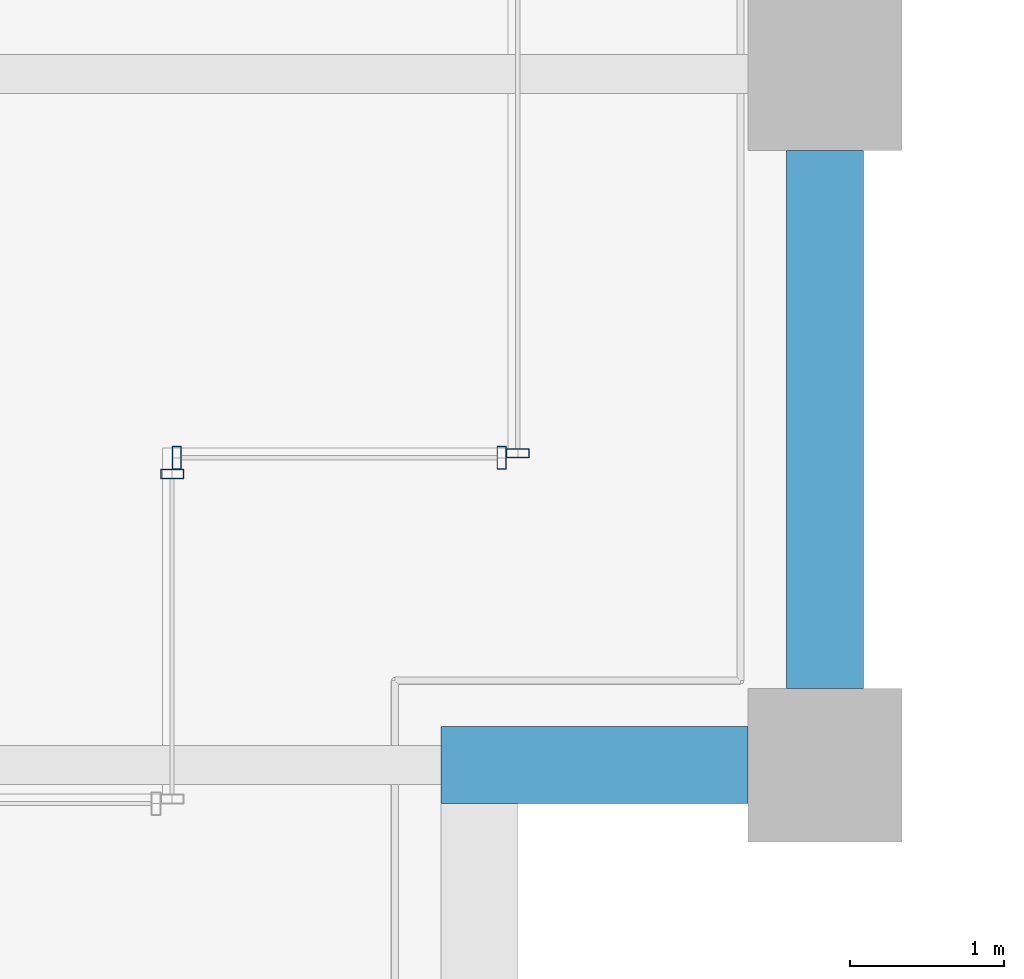
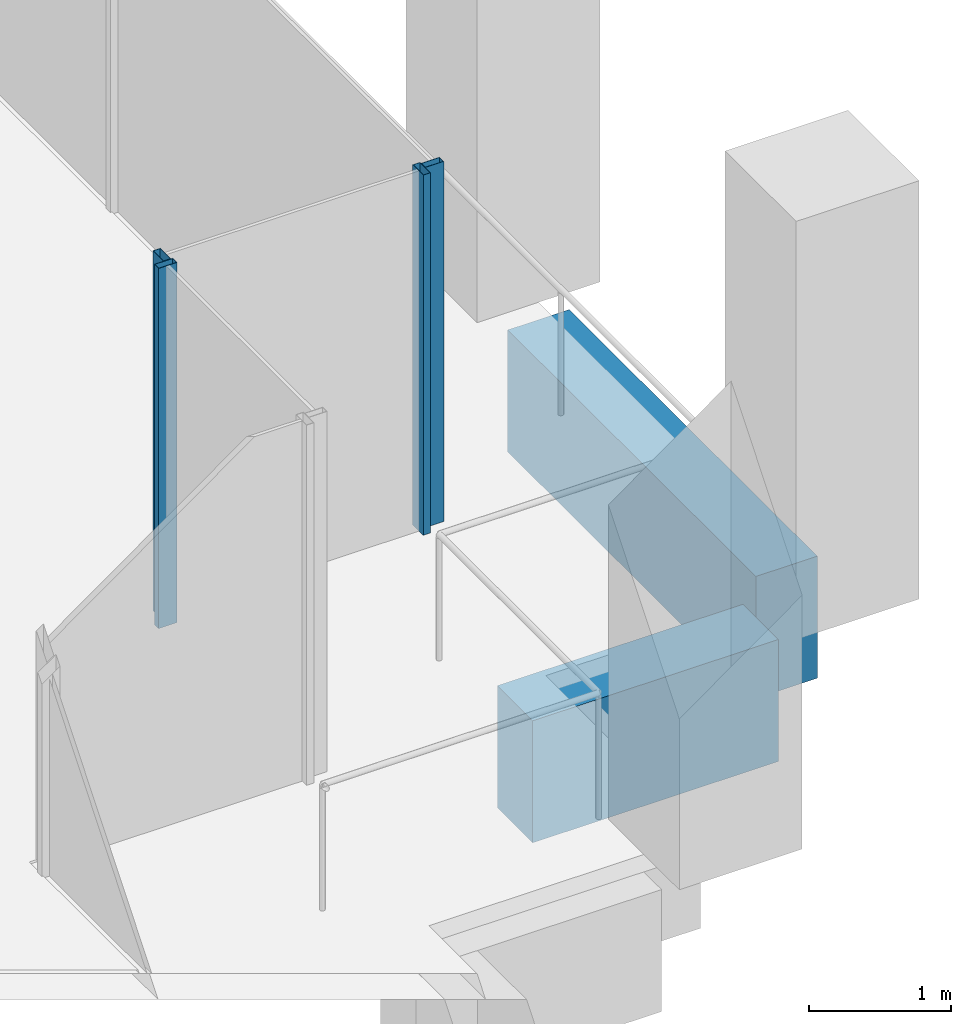
# One storey, part 13 of 46: 4 members, 2 beams, 3 elements without a shape of their own.
"""IFC4 building model written with IfcOpenShell, lengths in metres."""

from ifc_helpers import new_model, si_unit, direction, frame, origin, origin_2d, place, context, subcontext, project, spatial, rectangle, hollow_rectangle, extrude, material, material_profile, profile_set, type_object, element, aggregate, save


model = new_model("IFC4")

# Units and contexts
model_context = context("Model", 3, precision=1e-05, world=origin(), true_north=direction((0.0, 1.0)))
body_context = subcontext(model_context, "Body", "Model", "MODEL_VIEW")
ifc_project = project(units=[si_unit("LENGTHUNIT", "METRE"), si_unit("AREAUNIT", "SQUARE_METRE"), si_unit("VOLUMEUNIT", "CUBIC_METRE"), si_unit("PLANEANGLEUNIT", "RADIAN"), si_unit("MASSUNIT", "GRAM", prefix="KILO")], contexts=[model_context])

# Site, building, storey
site_placement = place(None, origin())
site = spatial("IfcSite", under=ifc_project, at=site_placement, CompositionType="ELEMENT")
building_placement = place(site_placement, origin())
building = spatial("IfcBuilding", under=site, at=building_placement, Name="Altepetl Exchange Towers", CompositionType="ELEMENT")
storey_placement = place(building_placement, frame((0.0, 0.0, 124.39990234375)))
storey = spatial("IfcBuildingStorey", under=building, at=storey_placement, Name="L30", CompositionType="ELEMENT", Elevation=124.39990234375)

# Curtain wall, member
ifc_material_1 = material(Name="Aluminium 6063-T6 glazing", Category="aluminium")
curtain_wall_type = type_object("IfcCurtainWallType", Name="Loggia glazing system", PredefinedType="NOTDEFINED", material=ifc_material_1)
curtain_wall_1_placement = place(storey_placement, origin())
curtain_wall_1 = element("IfcCurtainWall", 1, at=curtain_wall_1_placement, inside=storey, type_object=curtain_wall_type, Name="CW1 run", PredefinedType="NOTDEFINED")
ifc_material_2 = material(Name="Aluminium 6063-T6", Category="aluminium")
ifc_material_profile_1 = material_profile(ifc_material_2, hollow_rectangle(XDim=0.06005859375, YDim=0.14990234375, WallThickness=0.0029296875, at=origin_2d()), Name="Mullion 60x150 aluminium")
ifc_profile_set_1 = profile_set([ifc_material_profile_1], Name="Aluminium 6063-T6")
member_type = type_object("IfcMemberType", Name="Mullion 60x150 aluminium", PredefinedType="MULLION", material=ifc_profile_set_1)
member_1_placement = place(storey_placement, frame((67.75, 33.39501953125, 0.0), z_axis=(0.0, 0.0, 1.0), x_axis=(0.0, 1.0, 0.0)))
member_1 = element("IfcMember", 2, at=member_1_placement, type_object=member_type, Name="MU1 mullion", PredefinedType="MULLION", context=body_context, shape_type="SweptSolid", body=[
    extrude(hollow_rectangle(XDim=0.06005859375, YDim=0.14990234375, WallThickness=0.0029296875, at=origin_2d()), origin(), (0.0, 0.0, 1.0), 3.10009765625),
])
aggregate(curtain_wall_1, [member_1])

# Curtain wall, members
curtain_wall_2_placement = place(storey_placement, origin())
curtain_wall_2 = element("IfcCurtainWall", 3, at=curtain_wall_2_placement, inside=storey, type_object=curtain_wall_type, Name="CW1 run", PredefinedType="NOTDEFINED")
member_2_placement = place(storey_placement, frame((67.780029296875, 33.5, 0.0)))
member_2 = element("IfcMember", 4, at=member_2_placement, type_object=member_type, Name="MU1 mullion", PredefinedType="MULLION", context=body_context, shape_type="SweptSolid", body=[
    extrude(hollow_rectangle(XDim=0.06005859375, YDim=0.14990234375, WallThickness=0.0029296875, at=origin_2d()), origin(), (0.0, 0.0, 1.0), 3.10009765625),
])
member_3_placement = place(storey_placement, frame((69.89501953125, 33.5, 0.0)))
member_3 = element("IfcMember", 5, at=member_3_placement, type_object=member_type, Name="MU1 mullion", PredefinedType="MULLION", context=body_context, shape_type="SweptSolid", body=[
    extrude(hollow_rectangle(XDim=0.06005859375, YDim=0.14990234375, WallThickness=0.0029296875, at=origin_2d()), origin(), (0.0, 0.0, 1.0), 3.10009765625),
])
aggregate(curtain_wall_2, [member_2, member_3])

# Curtain wall, member
curtain_wall_3_placement = place(storey_placement, origin())
curtain_wall_3 = element("IfcCurtainWall", 6, at=curtain_wall_3_placement, inside=storey, type_object=curtain_wall_type, Name="CW1 run", PredefinedType="NOTDEFINED")
member_4_placement = place(storey_placement, frame((70.0, 33.530029296875, 0.0), z_axis=(0.0, 0.0, 1.0), x_axis=(0.0, 1.0, 0.0)))
member_4 = element("IfcMember", 7, at=member_4_placement, type_object=member_type, Name="MU1 mullion", PredefinedType="MULLION", context=body_context, shape_type="SweptSolid", body=[
    extrude(hollow_rectangle(XDim=0.06005859375, YDim=0.14990234375, WallThickness=0.0029296875, at=origin_2d()), origin(), (0.0, 0.0, 1.0), 3.10009765625),
])
aggregate(curtain_wall_3, [member_4])

# Beams
ifc_material_3 = material(Name="Concrete C50/60 precast with cantera amarilla facing", Category="concrete")
ifc_material_profile_2 = material_profile(ifc_material_3, rectangle(XDim=0.5, YDim=1.050048828125, at=origin_2d()), Name="500 x 1050")
ifc_profile_set_2 = profile_set([ifc_material_profile_2], Name="Concrete C50/60 precast with cantera amarilla facing")
beam_type = type_object("IfcBeamType", Name="Spandrel beam 500x1050 cantera amarilla", PredefinedType="SPANDREL", material=ifc_profile_set_2)
beam_1_placement = place(storey_placement, frame((69.5, 31.5, -0.6748046875), z_axis=(1.0, 0.0, 0.0), x_axis=(0.0, 1.0, 0.0)))
element("IfcBeam", 8, at=beam_1_placement, inside=storey, type_object=beam_type, Name="sp:A:L30:011", PredefinedType="SPANDREL", context=body_context, shape_type="SweptSolid", body=[
    extrude(rectangle(XDim=0.5, YDim=1.050048828125, at=origin_2d()), origin(), (0.0, 0.0, 1.0), 2.0),
])
beam_2_placement = place(storey_placement, frame((72.0, 32.0, -0.6748046875), z_axis=(0.0, 1.0, 0.0), x_axis=(-1.0, 0.0, 0.0)))
element("IfcBeam", 9, at=beam_2_placement, inside=storey, type_object=beam_type, Name="sp:A:L30:012", PredefinedType="SPANDREL", context=body_context, shape_type="SweptSolid", body=[
    extrude(rectangle(XDim=0.5, YDim=1.050048828125, at=origin_2d()), origin(), (0.0, 0.0, 1.0), 3.5),
])

save(model, "model.ifc")
